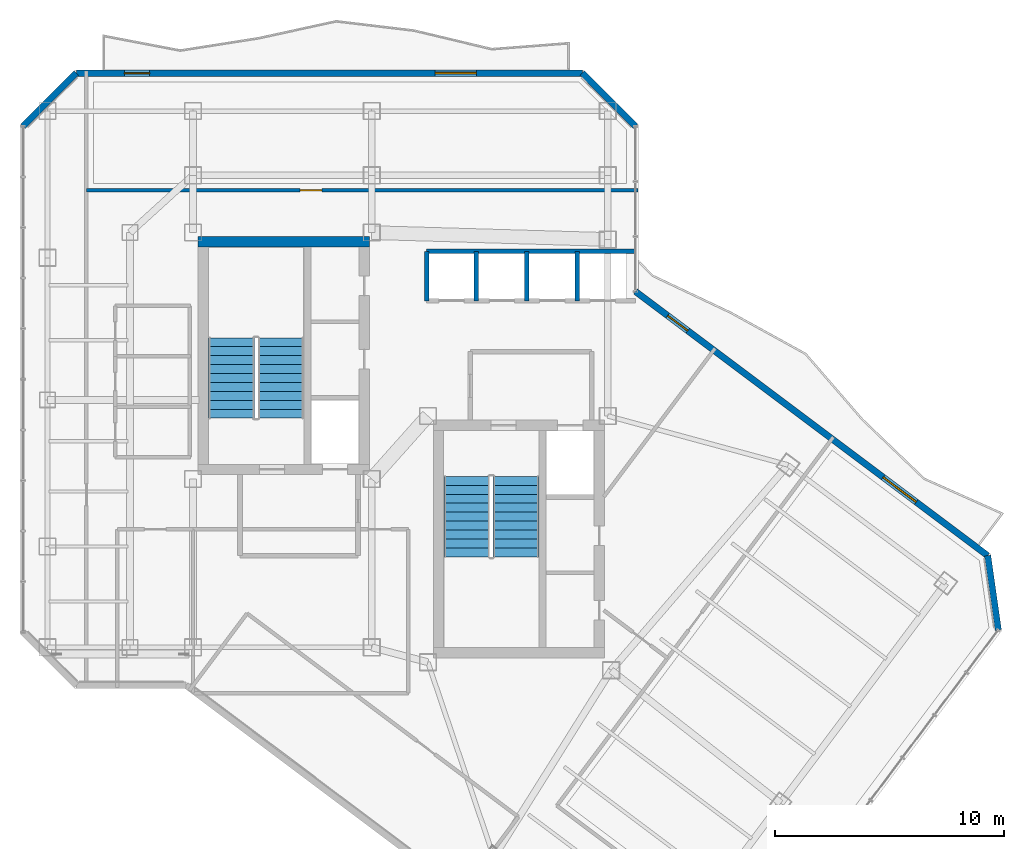
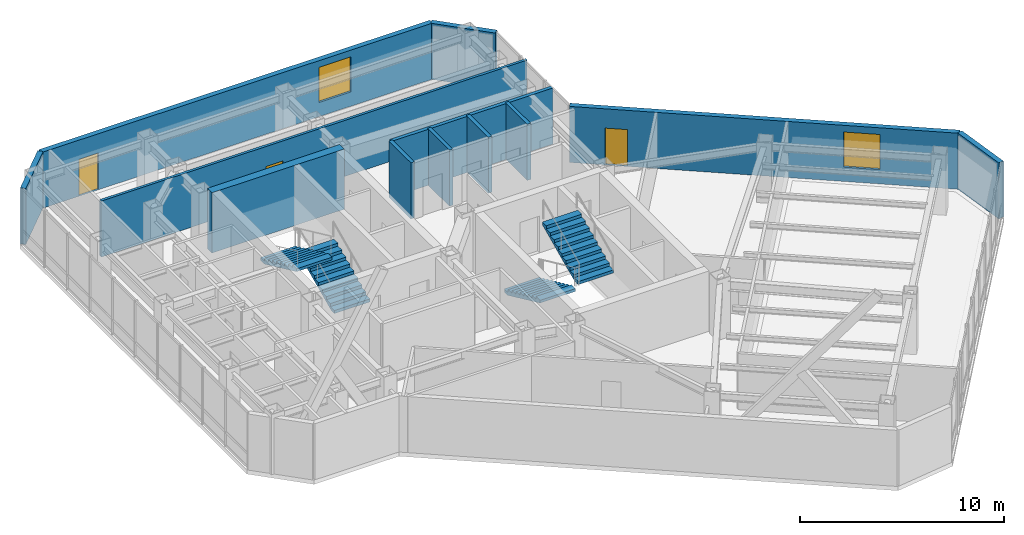
# One storey, part 21 of 24: 12 walls, 4 stair flights, 3 doors, 2 windows, 5 openings, 2 elements without a shape of their own.
"""IFC4 building model written with IfcOpenShell, lengths in metres."""

from ifc_helpers import new_model, si_unit, direction, frame, frame_2d, origin, place, context, subcontext, project, spatial, polyline, rectangle, outline, extrude, material, layer, layer_set, type_object, element, fill, aggregate, save


model = new_model("IFC4")

# Units and contexts
model_context = context("Model", 3, precision=1e-05, world=origin(), true_north=direction((0.0, 1.0)))
body_context = subcontext(model_context, "Body", "Model", "MODEL_VIEW")
ifc_project = project(units=[si_unit("LENGTHUNIT", "METRE"), si_unit("AREAUNIT", "SQUARE_METRE"), si_unit("VOLUMEUNIT", "CUBIC_METRE"), si_unit("PLANEANGLEUNIT", "RADIAN"), si_unit("MASSUNIT", "GRAM", prefix="KILO")], contexts=[model_context])

# Site, building, storey
site_placement = place(None, origin())
site = spatial("IfcSite", under=ifc_project, at=site_placement, CompositionType="ELEMENT")
building_placement = place(site_placement, origin())
building = spatial("IfcBuilding", under=site, at=building_placement, Name="Hatsunagi Terrace Concourse", CompositionType="ELEMENT")
storey_placement = place(building_placement, frame((0.0, 0.0, 191.550048828125)))
storey = spatial("IfcBuildingStorey", under=building, at=storey_placement, Name="L50", CompositionType="ELEMENT", Elevation=191.550048828125)

# Wall
ifc_material_1 = material(Name="Concrete Fc42", Category="concrete")
ifc_layer_1 = layer(ifc_material_1, 0.449951171875)
ifc_layer_set_1 = layer_set([ifc_layer_1], Name="CoreShearWall_Fc42_450")
wall_type_1 = type_object("IfcWallType", Name="CoreShearWall_Fc42_450", PredefinedType="SHEAR", material=ifc_layer_set_1)
wall_1_placement = place(storey_placement, frame((25.77001953125, 42.89501953125, 0.0), z_axis=(0.0, 0.0, 1.0), x_axis=(1.0, 0.0, 0.0)))
element("IfcWall", 1, at=wall_1_placement, inside=storey, type_object=wall_type_1, Name="Core A Shear Wall N L50", PredefinedType="SHEAR", context=body_context, shape_type="SweptSolid", body=[
    extrude(rectangle(XDim=7.47998046875, YDim=0.449951171875, at=frame_2d((3.739990234375, 0.0))), origin(), (0.0, 0.0, 1.0), 3.599853515625),
])

# Wall, opening, door
ifc_material_2 = material(Name="Acoustic mineral board", Category="gypsum")
ifc_layer_2 = layer(ifc_material_2, 0.14990234375)
ifc_layer_set_2 = layer_set([ifc_layer_2], Name="PartitionWall_EI60_150")
wall_type_2 = type_object("IfcWallType", Name="PartitionWall_EI60_150", PredefinedType="PARTITIONING", material=ifc_layer_set_2)
wall_2_placement = place(storey_placement, frame((20.89990234375, 45.14990234375, 0.0), z_axis=(0.0, 0.0, 1.0), x_axis=(1.0, 0.0, 0.0)))
wall_2 = element("IfcWall", 2, at=wall_2_placement, inside=storey, type_object=wall_type_2, Name="Interior Partition IW-L50-030", PredefinedType="PARTITIONING", context=body_context, shape_type="SweptSolid", body=[
    extrude(rectangle(XDim=24.06005859375, YDim=0.14990234375, at=frame_2d((12.030029296875, 0.0))), origin(), (0.0, 0.0, 1.0), 3.349853515625),
])
opening_1_placement = place(wall_2_placement, frame((9.320068359375, 0.0, 0.0)))
opening_1 = element("IfcOpeningElement", 3, at=opening_1_placement, cuts=wall_2, Name="Opening DR-095", PredefinedType="OPENING", context=body_context, shape_type="SweptSolid", body=[
    extrude(rectangle(XDim=0.949951171875, YDim=2.14990234375, at=frame_2d((0.47509765625, 1.074951171875))), frame((0.0, 0.0849609375, 0.0), z_axis=(0.0, -1.0, 0.0), x_axis=(1.0, 0.0, 0.0)), (0.0, 0.0, 1.0), 0.169921875),
])
ifc_material_3 = material(Name="Hardwood timber", Category="wood")
door_type_1 = type_object("IfcDoorType", Name="InteriorSuiteDoor_EI30_950", OperationType="NOTDEFINED", PredefinedType="DOOR", material=ifc_material_3)
door_1_placement = place(opening_1_placement, origin())
door_1 = element("IfcDoor", 4, at=door_1_placement, inside=storey, type_object=door_type_1, Name="Boardroom L50-ON1 Door", OperationType="SINGLE_SWING_RIGHT", OverallHeight=2.14990234375, OverallWidth=0.949951171875, PredefinedType="DOOR", context=body_context, shape_type="SweptSolid", body=[
    extrude(rectangle(XDim=0.949951171875, YDim=2.14990234375, at=frame_2d((0.47509765625, 1.074951171875))), frame((0.0, 0.02490234375, 0.0), z_axis=(0.0, -1.0, 0.0), x_axis=(1.0, 0.0, 0.0)), (0.0, 0.0, 1.0), 0.050048828125),
])
fill(opening_1, door_1)

# Walls
ifc_material_4 = material(Name="Acoustic mineral board", Category="gypsum")
ifc_layer_3 = layer(ifc_material_4, 0.199951171875)
ifc_layer_set_3 = layer_set([ifc_layer_3], Name="ShaftWall_EI120_200")
wall_type_3 = type_object("IfcWallType", Name="ShaftWall_EI120_200", PredefinedType="STANDARD", material=ifc_layer_set_3)
wall_3_placement = place(storey_placement, frame((35.75, 42.47998046875, 0.0), z_axis=(0.0, 0.0, 1.0), x_axis=(1.0, 0.0, 0.0)))
element("IfcWall", 5, at=wall_3_placement, inside=storey, type_object=wall_type_3, Name="Interior Partition IW-L50-011", PredefinedType="STANDARD", context=body_context, shape_type="SweptSolid", body=[
    extrude(rectangle(XDim=9.110107421875, YDim=0.199951171875, at=frame_2d((4.55517578125, 0.0))), origin(), (0.0, 0.0, 1.0), 3.349853515625),
])
for number, where, z_axis, x_axis, name in (
    (6, (35.75, 40.320068359375, 0.0), (0.0, 0.0, 1.0), (0.0, 1.0, 0.0), "Interior Partition IW-L50-012"),
    (7, (37.919921875, 40.320068359375, 0.0), (0.0, 0.0, 1.0), (0.0, 1.0, 0.0), "Interior Partition IW-L50-013"),
    (8, (40.1201171875, 40.320068359375, 0.0), (0.0, 0.0, 1.0), (0.0, 1.0, 0.0), "Interior Partition IW-L50-014"),
    (9, (42.320068359375, 40.320068359375, 0.0), (0.0, 0.0, 1.0), (0.0, 1.0, 0.0), "Interior Partition IW-L50-015"),
):
    element("IfcWall", number, at=place(storey_placement, frame(where, z_axis=z_axis, x_axis=x_axis)), inside=storey, type_object=wall_type_3, Name=name, PredefinedType="STANDARD", context=body_context, shape_type="SweptSolid", body=[
        extrude(rectangle(XDim=2.159912109375, YDim=0.199951171875, at=frame_2d((1.080078125, 0.0))), origin(), (0.0, 0.0, 1.0), 3.349853515625),
    ])

# Wall, openings, door, window
ifc_material_5 = material(Name="Autoclaved Lightweight Concrete and Terracotta Cladding", Category="masonry")
ifc_layer_4 = layer(ifc_material_5, 0.280029296875)
ifc_layer_set_4 = layer_set([ifc_layer_4], Name="TerracottaSpandrelWall_280")
wall_type_4 = type_object("IfcWallType", Name="TerracottaSpandrelWall_280", PredefinedType="STANDARD", material=ifc_layer_set_4)
wall_4_placement = place(storey_placement, frame((44.860107421875, 40.72998046875, 0.0), z_axis=(0.0, 0.0, 1.0), x_axis=(0.800007624502, -0.599989833863, 0.0)))
wall_4 = element("IfcWall", 10, at=wall_4_placement, inside=storey, type_object=wall_type_4, Name="Exterior Spandrel Wall EW-L50-01", PredefinedType="STANDARD", context=body_context, shape_type="SweptSolid", body=[
    extrude(rectangle(XDim=19.212158203125, YDim=0.280029296875, at=frame_2d((9.60595703125, 0.0))), origin(), (0.0, 0.0, 1.0), 3.349853515625),
])
opening_2_placement = place(wall_4_placement, frame((1.7548828125, 0.0, 0.0)))
opening_2 = element("IfcOpeningElement", 11, at=opening_2_placement, cuts=wall_4, Name="Opening BD-01", PredefinedType="OPENING", context=body_context, shape_type="SweptSolid", body=[
    extrude(rectangle(XDim=1.10009765625, YDim=2.199951171875, at=frame_2d((0.550048828125, 1.10009765625))), frame((0.0, 0.14990234375, 0.0), z_axis=(0.0, -1.0, 0.0), x_axis=(1.0, 0.0, 0.0)), (0.0, 0.0, 1.0), 0.300048828125),
])
opening_3_placement = place(wall_4_placement, frame((13.509033203125, 0.0, 0.85009765625)))
opening_3 = element("IfcOpeningElement", 12, at=opening_3_placement, cuts=wall_4, Name="Opening WIN-03", PredefinedType="OPENING", context=body_context, shape_type="SweptSolid", body=[
    extrude(rectangle(XDim=1.800048828125, YDim=2.10009765625, at=frame_2d((0.89990234375, 1.050048828125))), frame((0.0, 0.14990234375, 0.0), z_axis=(0.0, -1.0, 0.0), x_axis=(1.0, 0.0, 0.0)), (0.0, 0.0, 1.0), 0.300048828125),
])
ifc_material_6 = material(Name="Galvanised Steel and Laminated Safety Glass", Category="steel")
door_type_2 = type_object("IfcDoorType", Name="BalconyTerraceAccessDoor_1100x2200", OperationType="SINGLE_SWING_LEFT", PredefinedType="DOOR", material=ifc_material_6)
door_2_placement = place(opening_2_placement, origin())
door_2 = element("IfcDoor", 13, at=door_2_placement, inside=storey, type_object=door_type_2, Name="Engawa Balcony Door L50-BSE", OperationType="SINGLE_SWING_LEFT", OverallHeight=2.199951171875, OverallWidth=1.10009765625, PredefinedType="DOOR", context=body_context, shape_type="SweptSolid", body=[
    extrude(rectangle(XDim=1.10009765625, YDim=2.199951171875, at=frame_2d((0.550048828125, 1.10009765625))), frame((0.0, 0.02490234375, 0.0), z_axis=(0.0, -1.0, 0.0), x_axis=(1.0, 0.0, 0.0)), (0.0, 0.0, 1.0), 0.050048828125),
])
fill(opening_2, door_2)
ifc_material_7 = material(Name="Thermally Broken Aluminium and Low-E Triple Glazing", Category="aluminium")
window_type = type_object("IfcWindowType", Name="OfficeCornerFeatureWindow_1800x2100", PartitioningType="SINGLE_PANEL", PredefinedType="WINDOW", material=ifc_material_7)
window_1_placement = place(opening_3_placement, origin())
window_1 = element("IfcWindow", 14, at=window_1_placement, inside=storey, type_object=window_type, Name="Balcony Daylighting Window L50-01-2", OverallHeight=2.10009765625, OverallWidth=1.800048828125, PartitioningType="SINGLE_PANEL", PredefinedType="WINDOW", context=body_context, shape_type="SweptSolid", body=[
    extrude(rectangle(XDim=1.800048828125, YDim=2.10009765625, at=frame_2d((0.89990234375, 1.050048828125))), frame((0.0, 0.030029296875, 0.0), z_axis=(0.0, -1.0, 0.0), x_axis=(1.0, 0.0, 0.0)), (0.0, 0.0, 1.0), 0.06005859375),
])
fill(opening_3, window_1)

# Walls
wall_5_placement = place(storey_placement, frame((60.22998046875, 29.202880859375, 0.0), z_axis=(0.0, 0.0, 1.0), x_axis=(0.141296221922, -0.989967361922, 0.0)))
element("IfcWall", 15, at=wall_5_placement, inside=storey, type_object=wall_type_4, Name="Exterior Spandrel Wall EW-L50-02", PredefinedType="STANDARD", context=body_context, shape_type="SweptSolid", body=[
    extrude(rectangle(XDim=3.27783203125, YDim=0.280029296875, at=frame_2d((1.638916015625, 0.0))), origin(), (0.0, 0.0, 1.0), 3.349853515625),
])
wall_6_placement = place(storey_placement, frame((18.139892578125, 47.94189453125, 0.0), z_axis=(0.0, 0.0, 1.0), x_axis=(0.707106781187, 0.707106781187, 0.0)))
element("IfcWall", 16, at=wall_6_placement, inside=storey, type_object=wall_type_4, Name="Exterior Spandrel Wall EW-L50-09", PredefinedType="STANDARD", context=body_context, shape_type="SweptSolid", body=[
    extrude(rectangle(XDim=3.2783203125, YDim=0.280029296875, at=frame_2d((1.63916015625, 0.0))), origin(), (0.0, 0.0, 1.0), 3.349853515625),
])

# Wall, openings, door, window
wall_7_placement = place(storey_placement, frame((20.4580078125, 50.260009765625, 0.0), z_axis=(0.0, 0.0, 1.0), x_axis=(1.0, 0.0, 0.0)))
wall_7 = element("IfcWall", 17, at=wall_7_placement, inside=storey, type_object=wall_type_4, Name="Exterior Spandrel Wall EW-L50-10", PredefinedType="STANDARD", context=body_context, shape_type="SweptSolid", body=[
    extrude(rectangle(XDim=22.083984375, YDim=0.280029296875, at=frame_2d((11.0419921875, 0.0))), origin(), (0.0, 0.0, 1.0), 3.349853515625),
])
opening_4_placement = place(wall_7_placement, frame((2.10009765625, 0.0, 0.0)))
opening_4 = element("IfcOpeningElement", 18, at=opening_4_placement, cuts=wall_7, Name="Opening BD-01", PredefinedType="OPENING", context=body_context, shape_type="SweptSolid", body=[
    extrude(rectangle(XDim=1.10009765625, YDim=2.199951171875, at=frame_2d((0.550048828125, 1.10009765625))), frame((0.0, 0.14990234375, 0.0), z_axis=(0.0, -1.0, 0.0), x_axis=(1.0, 0.0, 0.0)), (0.0, 0.0, 1.0), 0.300048828125),
])
opening_5_placement = place(wall_7_placement, frame((15.6630859375, 0.0, 0.85009765625)))
opening_5 = element("IfcOpeningElement", 19, at=opening_5_placement, cuts=wall_7, Name="Opening WIN-03", PredefinedType="OPENING", context=body_context, shape_type="SweptSolid", body=[
    extrude(rectangle(XDim=1.800048828125, YDim=2.10009765625, at=frame_2d((0.89990234375, 1.050048828125))), frame((0.0, 0.14990234375, 0.0), z_axis=(0.0, -1.0, 0.0), x_axis=(1.0, 0.0, 0.0)), (0.0, 0.0, 1.0), 0.300048828125),
])
door_3_placement = place(opening_4_placement, origin())
door_3 = element("IfcDoor", 20, at=door_3_placement, inside=storey, type_object=door_type_2, Name="Engawa Balcony Door L50-BN", OperationType="SINGLE_SWING_RIGHT", OverallHeight=2.199951171875, OverallWidth=1.10009765625, PredefinedType="DOOR", context=body_context, shape_type="SweptSolid", body=[
    extrude(rectangle(XDim=1.10009765625, YDim=2.199951171875, at=frame_2d((0.550048828125, 1.10009765625))), frame((0.0, 0.02490234375, 0.0), z_axis=(0.0, -1.0, 0.0), x_axis=(1.0, 0.0, 0.0)), (0.0, 0.0, 1.0), 0.050048828125),
])
fill(opening_4, door_3)
window_2_placement = place(opening_5_placement, origin())
window_2 = element("IfcWindow", 21, at=window_2_placement, inside=storey, type_object=window_type, Name="Balcony Daylighting Window L50-10-2", OverallHeight=2.10009765625, OverallWidth=1.800048828125, PartitioningType="SINGLE_PANEL", PredefinedType="WINDOW", context=body_context, shape_type="SweptSolid", body=[
    extrude(rectangle(XDim=1.800048828125, YDim=2.10009765625, at=frame_2d((0.89990234375, 1.050048828125))), frame((0.0, 0.030029296875, 0.0), z_axis=(0.0, -1.0, 0.0), x_axis=(1.0, 0.0, 0.0)), (0.0, 0.0, 1.0), 0.06005859375),
])
fill(opening_5, window_2)

# Wall
wall_8_placement = place(storey_placement, frame((42.5419921875, 50.260009765625, 0.0), z_axis=(0.0, 0.0, 1.0), x_axis=(0.707106781187, -0.707106781187, 0.0)))
element("IfcWall", 22, at=wall_8_placement, inside=storey, type_object=wall_type_4, Name="Exterior Spandrel Wall EW-L50-11", PredefinedType="STANDARD", context=body_context, shape_type="SweptSolid", body=[
    extrude(rectangle(XDim=3.2783203125, YDim=0.280029296875, at=frame_2d((1.63916015625, 0.0))), origin(), (0.0, 0.0, 1.0), 3.349853515625),
])

# Stair, stair flights
ifc_material_8 = material(Name="Concrete Fc42", Category="concrete")
stair_type = type_object("IfcStairType", Name="DoglegExitStair_Tower2000_20R_180", PredefinedType="HALF_TURN_STAIR", material=ifc_material_8)
stair_1_placement = place(storey_placement, origin())
stair_1 = element("IfcStair", 23, at=stair_1_placement, inside=storey, type_object=stair_type, Name="L50 Core A Protected Exit Stair ST-A", PredefinedType="HALF_TURN_STAIR")
ifc_material_9 = material(Name="Concrete Fc42", Category="concrete")
stair_flight_type = type_object("IfcStairFlightType", Name="DoglegStairFlight_Tower2000_20R_180", PredefinedType="STRAIGHT", material=ifc_material_9)
stair_flight_1_placement = place(storey_placement, frame((29.3798828125, 35.199951171875, 0.0), z_axis=(0.0, 0.0, 1.0), x_axis=(0.0, 1.0, 0.0)))
stair_flight_1 = element("IfcStairFlight", 24, at=stair_flight_1_placement, type_object=stair_flight_type, Name="ST-A flight 1", NumberOfRisers=10, NumberOfTreads=9, PredefinedType="STRAIGHT", RiserHeight=0.18, TreadLength=0.39, context=body_context, shape_type="SweptSolid", body=[
    extrude(outline(polyline([(0.0, 0.0), (0.0, 0.179931640625), (0.389892578125, 0.179931640625), (0.389892578125, 0.360107421875), (0.780029296875, 0.360107421875), (0.780029296875, 0.5400390625), (1.169921875, 0.5400390625), (1.169921875, 0.719970703125), (1.56005859375, 0.719970703125), (1.56005859375, 0.89990234375), (1.949951171875, 0.89990234375), (1.949951171875, 1.080078125), (2.340087890625, 1.080078125), (2.340087890625, 1.260009765625), (2.72998046875, 1.260009765625), (2.72998046875, 1.43994140625), (3.1201171875, 1.43994140625), (3.1201171875, 1.6201171875), (3.510009765625, 1.6201171875), (3.510009765625, 1.800048828125), (3.510009765625, 1.454833984375), (0.357666015625, 0.0), (0.0, 0.0)])), frame((0.0, 1.0, 0.0), z_axis=(0.0, -1.0, 0.0), x_axis=(1.0, 0.0, 0.0)), (0.0, 0.0, 1.0), 2.0),
])
stair_flight_2_placement = place(storey_placement, frame((27.22998046875, 38.7099609375, 1.800048828125), z_axis=(0.0, 0.0, 1.0), x_axis=(0.0, -1.0, 0.0)))
stair_flight_2 = element("IfcStairFlight", 25, at=stair_flight_2_placement, type_object=stair_flight_type, Name="ST-A flight 2", NumberOfRisers=10, NumberOfTreads=9, PredefinedType="STRAIGHT", RiserHeight=0.18, TreadLength=0.39, context=body_context, shape_type="SweptSolid", body=[
    extrude(outline(polyline([(0.0, 0.0), (0.0, 0.179931640625), (0.389892578125, 0.179931640625), (0.389892578125, 0.360107421875), (0.780029296875, 0.360107421875), (0.780029296875, 0.5400390625), (1.169921875, 0.5400390625), (1.169921875, 0.719970703125), (1.56005859375, 0.719970703125), (1.56005859375, 0.89990234375), (1.949951171875, 0.89990234375), (1.949951171875, 1.080078125), (2.340087890625, 1.080078125), (2.340087890625, 1.260009765625), (2.72998046875, 1.260009765625), (2.72998046875, 1.43994140625), (3.1201171875, 1.43994140625), (3.1201171875, 1.6201171875), (3.510009765625, 1.6201171875), (3.510009765625, 1.800048828125), (3.510009765625, 1.454833984375), (0.357666015625, 0.0), (0.0, 0.0)])), frame((0.0, 1.0, 0.0), z_axis=(0.0, -1.0, 0.0), x_axis=(1.0, 0.0, 0.0)), (0.0, 0.0, 1.0), 2.0),
])
aggregate(stair_1, [stair_flight_1, stair_flight_2])

stair_2_placement = place(storey_placement, origin())
stair_2 = element("IfcStair", 26, at=stair_2_placement, inside=storey, type_object=stair_type, Name="L50 Core B Protected Exit Stair ST-B", PredefinedType="HALF_TURN_STAIR")
stair_flight_3_placement = place(storey_placement, frame((37.5, 32.659912109375, 0.0), z_axis=(0.0, 0.0, 1.0), x_axis=(0.0, -1.0, 0.0)))
stair_flight_3 = element("IfcStairFlight", 27, at=stair_flight_3_placement, type_object=stair_flight_type, Name="ST-B flight 1", NumberOfRisers=10, NumberOfTreads=9, PredefinedType="STRAIGHT", RiserHeight=0.18, TreadLength=0.39, context=body_context, shape_type="SweptSolid", body=[
    extrude(outline(polyline([(0.0, 0.0), (0.0, 0.179931640625), (0.389892578125, 0.179931640625), (0.389892578125, 0.360107421875), (0.780029296875, 0.360107421875), (0.780029296875, 0.5400390625), (1.169921875, 0.5400390625), (1.169921875, 0.719970703125), (1.56005859375, 0.719970703125), (1.56005859375, 0.89990234375), (1.949951171875, 0.89990234375), (1.949951171875, 1.080078125), (2.340087890625, 1.080078125), (2.340087890625, 1.260009765625), (2.72998046875, 1.260009765625), (2.72998046875, 1.43994140625), (3.1201171875, 1.43994140625), (3.1201171875, 1.6201171875), (3.510009765625, 1.6201171875), (3.510009765625, 1.800048828125), (3.510009765625, 1.454833984375), (0.357666015625, 0.0), (0.0, 0.0)])), frame((0.0, 1.0, 0.0), z_axis=(0.0, -1.0, 0.0), x_axis=(1.0, 0.0, 0.0)), (0.0, 0.0, 1.0), 2.0),
])
stair_flight_4_placement = place(storey_placement, frame((39.64990234375, 29.14990234375, 1.800048828125), z_axis=(0.0, 0.0, 1.0), x_axis=(0.0, 1.0, 0.0)))
stair_flight_4 = element("IfcStairFlight", 28, at=stair_flight_4_placement, type_object=stair_flight_type, Name="ST-B flight 2", NumberOfRisers=10, NumberOfTreads=9, PredefinedType="STRAIGHT", RiserHeight=0.18, TreadLength=0.39, context=body_context, shape_type="SweptSolid", body=[
    extrude(outline(polyline([(0.0, 0.0), (0.0, 0.179931640625), (0.389892578125, 0.179931640625), (0.389892578125, 0.360107421875), (0.780029296875, 0.360107421875), (0.780029296875, 0.5400390625), (1.169921875, 0.5400390625), (1.169921875, 0.719970703125), (1.56005859375, 0.719970703125), (1.56005859375, 0.89990234375), (1.949951171875, 0.89990234375), (1.949951171875, 1.080078125), (2.340087890625, 1.080078125), (2.340087890625, 1.260009765625), (2.72998046875, 1.260009765625), (2.72998046875, 1.43994140625), (3.1201171875, 1.43994140625), (3.1201171875, 1.6201171875), (3.510009765625, 1.6201171875), (3.510009765625, 1.800048828125), (3.510009765625, 1.454833984375), (0.357666015625, 0.0), (0.0, 0.0)])), frame((0.0, 1.0, 0.0), z_axis=(0.0, -1.0, 0.0), x_axis=(1.0, 0.0, 0.0)), (0.0, 0.0, 1.0), 2.0),
])
aggregate(stair_2, [stair_flight_3, stair_flight_4])

save(model, "model.ifc")
